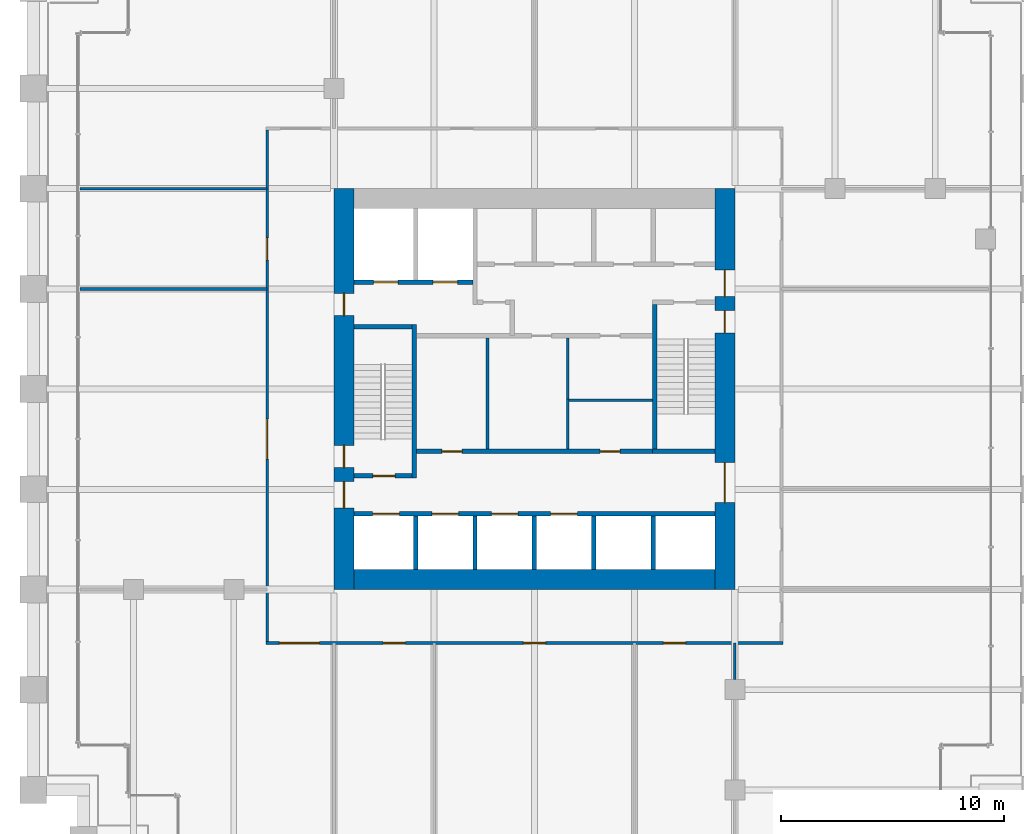
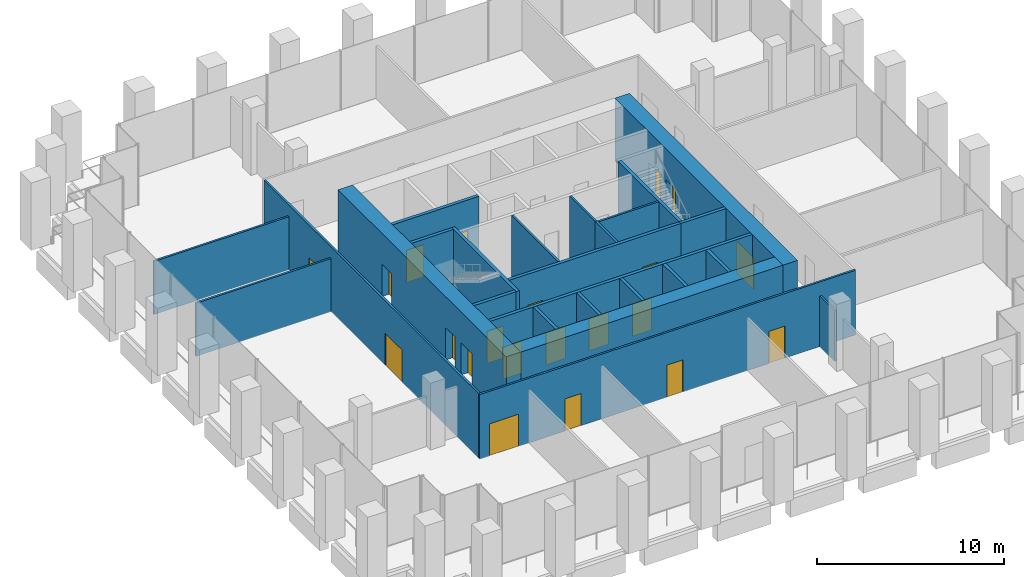
# One storey, part 30 of 36: 25 walls, 21 doors, 21 openings.
"""IFC4 building model written with IfcOpenShell, lengths in metres."""

from ifc_helpers import new_model, si_unit, direction, frame, frame_2d, origin, place, context, subcontext, project, spatial, rectangle, extrude, material, layer, layer_set, type_object, element, fill, save


model = new_model("IFC4")

# Units and contexts
model_context = context("Model", 3, precision=1e-05, world=origin(), true_north=direction((0.0, 1.0)))
body_context = subcontext(model_context, "Body", "Model", "MODEL_VIEW")
ifc_project = project(units=[si_unit("LENGTHUNIT", "METRE"), si_unit("AREAUNIT", "SQUARE_METRE"), si_unit("VOLUMEUNIT", "CUBIC_METRE"), si_unit("PLANEANGLEUNIT", "RADIAN"), si_unit("MASSUNIT", "GRAM", prefix="KILO")], contexts=[model_context])

# Site, building, storey
site_placement = place(None, origin())
site = spatial("IfcSite", under=ifc_project, at=site_placement, CompositionType="ELEMENT")
building_placement = place(site_placement, origin())
building = spatial("IfcBuilding", under=site, at=building_placement, Name="Altepetl Exchange Towers", CompositionType="ELEMENT")
storey_placement = place(building_placement, frame((0.0, 0.0, 25.39990234375)))
storey = spatial("IfcBuildingStorey", under=building, at=storey_placement, Name="L05", CompositionType="ELEMENT", Elevation=25.39990234375)

# Wall, openings, doors
ifc_material_1 = material(Name="Concrete C70/85", Category="concrete")
ifc_layer_1 = layer(ifc_material_1, 0.89990234375)
ifc_layer_set_1 = layer_set([ifc_layer_1], Name="Concrete C70/85")
wall_type_1 = type_object("IfcWallType", Name="Core wall 900 reinforced concrete", PredefinedType="SHEAR", material=ifc_layer_set_1)
wall_1_placement = place(storey_placement, frame((58.050048828125, 40.5, 0.0), z_axis=(0.0, 0.0, 1.0), x_axis=(0.0, 1.0, 0.0)))
wall_1 = element("IfcWall", 1, at=wall_1_placement, inside=storey, type_object=wall_type_1, Name="wall:A:L05:K-coreE", PredefinedType="SHEAR", context=body_context, shape_type="SweptSolid", body=[
    extrude(rectangle(XDim=18.0, YDim=0.89990234375, at=frame_2d((9.0, 0.0))), origin(), (0.0, 0.0, 1.0), 4.125),
])
opening_1_placement = place(wall_1_placement, frame((13.14990234375, 0.0, 0.0)))
opening_1 = element("IfcOpeningElement", 2, at=opening_1_placement, cuts=wall_1, Name="Opening L05.A60", PredefinedType="OPENING", context=body_context, shape_type="SweptSolid", body=[
    extrude(rectangle(XDim=1.199951171875, YDim=2.10009765625, at=frame_2d((0.60009765625, 1.050048828125))), frame((0.0, 0.4599609375, 0.0), z_axis=(0.0, -1.0, 0.0), x_axis=(1.0, 0.0, 0.0)), (0.0, 0.0, 1.0), 0.919921875),
])
opening_2_placement = place(wall_1_placement, frame((3.89990234375, 0.0, 0.0)))
opening_2 = element("IfcOpeningElement", 3, at=opening_2_placement, cuts=wall_1, Name="Opening L05.A61", PredefinedType="OPENING", context=body_context, shape_type="SweptSolid", body=[
    extrude(rectangle(XDim=1.800048828125, YDim=2.10009765625, at=frame_2d((0.89990234375, 1.050048828125))), frame((0.0, 0.4599609375, 0.0), z_axis=(0.0, -1.0, 0.0), x_axis=(1.0, 0.0, 0.0)), (0.0, 0.0, 1.0), 0.919921875),
])
opening_3_placement = place(wall_1_placement, frame((11.52490234375, 0.0, 0.0)))
opening_3 = element("IfcOpeningElement", 4, at=opening_3_placement, cuts=wall_1, Name="Opening L05.A66", PredefinedType="OPENING", context=body_context, shape_type="SweptSolid", body=[
    extrude(rectangle(XDim=1.0, YDim=2.10009765625, at=frame_2d((0.5, 1.050048828125))), frame((0.0, 0.4599609375, 0.0), z_axis=(0.0, -1.0, 0.0), x_axis=(1.0, 0.0, 0.0)), (0.0, 0.0, 1.0), 0.919921875),
])
ifc_material_2 = material(Name="Steel and timber fire door", Category="steel")
door_type_1 = type_object("IfcDoorType", Name="Fire door 1000 x 2100 stair and lobby", OperationType="SINGLE_SWING_LEFT", PredefinedType="DOOR", material=ifc_material_2)
door_1_placement = place(opening_3_placement, origin())
door_1 = element("IfcDoor", 5, at=door_1_placement, inside=storey, type_object=door_type_1, Name="door:A:L05:K-dS2x", OperationType="SINGLE_SWING_RIGHT", OverallHeight=2.10009765625, OverallWidth=1.0, PredefinedType="DOOR", context=body_context, shape_type="SweptSolid", body=[
    extrude(rectangle(XDim=1.0, YDim=2.10009765625, at=frame_2d((0.5, 1.050048828125))), frame((0.0, 0.02490234375, 0.0), z_axis=(0.0, -1.0, 0.0), x_axis=(1.0, 0.0, 0.0)), (0.0, 0.0, 1.0), 0.050048828125),
])
fill(opening_3, door_1)
door_type_2 = type_object("IfcDoorType", Name="Fire door 1200 x 2100 lobby entry", OperationType="SINGLE_SWING_LEFT", PredefinedType="DOOR", material=ifc_material_2)
door_2_placement = place(opening_1_placement, origin())
door_2 = element("IfcDoor", 6, at=door_2_placement, inside=storey, type_object=door_type_2, Name="door:A:L05:K-dLNE", OperationType="SINGLE_SWING_RIGHT", OverallHeight=2.10009765625, OverallWidth=1.199951171875, PredefinedType="DOOR", context=body_context, shape_type="SweptSolid", body=[
    extrude(rectangle(XDim=1.199951171875, YDim=2.10009765625, at=frame_2d((0.60009765625, 1.050048828125))), frame((0.0, 0.02490234375, 0.0), z_axis=(0.0, -1.0, 0.0), x_axis=(1.0, 0.0, 0.0)), (0.0, 0.0, 1.0), 0.050048828125),
])
fill(opening_1, door_2)
door_type_3 = type_object("IfcDoorType", Name="Fire door 1800 x 2100 lobby entry", OperationType="DOUBLE_DOOR_SINGLE_SWING", PredefinedType="DOOR", material=ifc_material_2)
door_3_placement = place(opening_2_placement, origin())
door_3 = element("IfcDoor", 7, at=door_3_placement, inside=storey, type_object=door_type_3, Name="door:A:L05:K-dLSE", OperationType="DOUBLE_DOOR_SINGLE_SWING", OverallHeight=2.10009765625, OverallWidth=1.800048828125, PredefinedType="DOOR", context=body_context, shape_type="SweptSolid", body=[
    extrude(rectangle(XDim=1.800048828125, YDim=2.10009765625, at=frame_2d((0.89990234375, 1.050048828125))), frame((0.0, 0.02490234375, 0.0), z_axis=(0.0, -1.0, 0.0), x_axis=(1.0, 0.0, 0.0)), (0.0, 0.0, 1.0), 0.050048828125),
])
fill(opening_2, door_3)

# Wall
wall_2_placement = place(storey_placement, frame((41.39990234375, 40.949951171875, 0.0)))
element("IfcWall", 8, at=wall_2_placement, inside=storey, type_object=wall_type_1, Name="wall:A:L05:K-coreS", PredefinedType="SHEAR", context=body_context, shape_type="SweptSolid", body=[
    extrude(rectangle(XDim=16.2001953125, YDim=0.89990234375, at=frame_2d((8.10009765625, 0.0))), origin(), (0.0, 0.0, 1.0), 4.125),
])

# Wall, openings, doors
wall_3_placement = place(storey_placement, frame((40.949951171875, 40.5, 0.0), z_axis=(0.0, 0.0, 1.0), x_axis=(0.0, 1.0, 0.0)))
wall_3 = element("IfcWall", 9, at=wall_3_placement, inside=storey, type_object=wall_type_1, Name="wall:A:L05:K-coreW", PredefinedType="SHEAR", context=body_context, shape_type="SweptSolid", body=[
    extrude(rectangle(XDim=18.0, YDim=0.89990234375, at=frame_2d((9.0, 0.0))), origin(), (0.0, 0.0, 1.0), 4.125),
])
opening_4_placement = place(wall_3_placement, frame((3.64990234375, 0.0, 0.0)))
opening_4 = element("IfcOpeningElement", 10, at=opening_4_placement, cuts=wall_3, Name="Opening L05.A62", PredefinedType="OPENING", context=body_context, shape_type="SweptSolid", body=[
    extrude(rectangle(XDim=1.199951171875, YDim=2.10009765625, at=frame_2d((0.60009765625, 1.050048828125))), frame((0.0, 0.4599609375, 0.0), z_axis=(0.0, -1.0, 0.0), x_axis=(1.0, 0.0, 0.0)), (0.0, 0.0, 1.0), 0.919921875),
])
opening_5_placement = place(wall_3_placement, frame((5.47509765625, 0.0, 0.0)))
opening_5 = element("IfcOpeningElement", 11, at=opening_5_placement, cuts=wall_3, Name="Opening L05.A64", PredefinedType="OPENING", context=body_context, shape_type="SweptSolid", body=[
    extrude(rectangle(XDim=1.0, YDim=2.10009765625, at=frame_2d((0.5, 1.050048828125))), frame((0.0, 0.4599609375, 0.0), z_axis=(0.0, -1.0, 0.0), x_axis=(1.0, 0.0, 0.0)), (0.0, 0.0, 1.0), 0.919921875),
])
opening_6_placement = place(wall_3_placement, frame((12.300048828125, 0.0, 0.0)))
opening_6 = element("IfcOpeningElement", 12, at=opening_6_placement, cuts=wall_3, Name="Opening L05.A68", PredefinedType="OPENING", context=body_context, shape_type="SweptSolid", body=[
    extrude(rectangle(XDim=1.0, YDim=2.10009765625, at=frame_2d((0.5, 1.050048828125))), frame((0.0, 0.4599609375, 0.0), z_axis=(0.0, -1.0, 0.0), x_axis=(1.0, 0.0, 0.0)), (0.0, 0.0, 1.0), 0.919921875),
])
door_4_placement = place(opening_5_placement, frame((1.0, 0.0, 0.0), x_axis=(-1.0, 0.0, 0.0)))
door_4 = element("IfcDoor", 13, at=door_4_placement, inside=storey, type_object=door_type_1, Name="door:A:L05:K-dS1x", OperationType="SINGLE_SWING_RIGHT", OverallHeight=2.10009765625, OverallWidth=1.0, PredefinedType="DOOR", context=body_context, shape_type="SweptSolid", body=[
    extrude(rectangle(XDim=1.0, YDim=2.10009765625, at=frame_2d((0.5, 1.050048828125))), frame((0.0, 0.02490234375, 0.0), z_axis=(0.0, -1.0, 0.0), x_axis=(1.0, 0.0, 0.0)), (0.0, 0.0, 1.0), 0.050048828125),
])
fill(opening_5, door_4)
door_5_placement = place(opening_6_placement, frame((1.0, 0.0, 0.0), x_axis=(-1.0, 0.0, 0.0)))
door_5 = element("IfcDoor", 14, at=door_5_placement, inside=storey, type_object=door_type_1, Name="door:A:L05:K-dffW", OperationType="SINGLE_SWING_LEFT", OverallHeight=2.10009765625, OverallWidth=1.0, PredefinedType="DOOR", context=body_context, shape_type="SweptSolid", body=[
    extrude(rectangle(XDim=1.0, YDim=2.10009765625, at=frame_2d((0.5, 1.050048828125))), frame((0.0, 0.02490234375, 0.0), z_axis=(0.0, -1.0, 0.0), x_axis=(1.0, 0.0, 0.0)), (0.0, 0.0, 1.0), 0.050048828125),
])
fill(opening_6, door_5)
door_6_placement = place(opening_4_placement, frame((1.199951171875, 0.0, 0.0), x_axis=(-1.0, 0.0, 0.0)))
door_6 = element("IfcDoor", 15, at=door_6_placement, inside=storey, type_object=door_type_2, Name="door:A:L05:K-dLSW", OperationType="SINGLE_SWING_LEFT", OverallHeight=2.10009765625, OverallWidth=1.199951171875, PredefinedType="DOOR", context=body_context, shape_type="SweptSolid", body=[
    extrude(rectangle(XDim=1.199951171875, YDim=2.10009765625, at=frame_2d((0.60009765625, 1.050048828125))), frame((0.0, 0.02490234375, 0.0), z_axis=(0.0, -1.0, 0.0), x_axis=(1.0, 0.0, 0.0)), (0.0, 0.0, 1.0), 0.050048828125),
])
fill(opening_4, door_6)

ifc_material_3 = material(Name="Concrete blockwork", Category="masonry")
ifc_layer_2 = layer(ifc_material_3, 0.199951171875)
ifc_layer_set_2 = layer_set([ifc_layer_2], Name="Concrete blockwork")
wall_type_2 = type_object("IfcWallType", Name="Lobby wall 200 blockwork", PredefinedType="PARTITIONING", material=ifc_layer_set_2)
wall_4_placement = place(storey_placement, frame((44.199951171875, 46.699951171875, 0.0)))
wall_4 = element("IfcWall", 16, at=wall_4_placement, inside=storey, type_object=wall_type_2, Name="wall:A:L05:K-zoneS", PredefinedType="PARTITIONING", context=body_context, shape_type="SweptSolid", body=[
    extrude(rectangle(XDim=10.60009765625, YDim=0.199951171875, at=frame_2d((5.300048828125, 0.0))), origin(), (0.0, 0.0, 1.0), 4.125),
])
opening_7_placement = place(wall_4_placement, frame((1.14990234375, 0.0, 0.0)))
opening_7 = element("IfcOpeningElement", 17, at=opening_7_placement, cuts=wall_4, Name="Opening L05.A73", PredefinedType="OPENING", context=body_context, shape_type="SweptSolid", body=[
    extrude(rectangle(XDim=0.89990234375, YDim=2.10009765625, at=frame_2d((0.449951171875, 1.050048828125))), frame((0.0, 0.10986328125, 0.0), z_axis=(0.0, -1.0, 0.0), x_axis=(1.0, 0.0, 0.0)), (0.0, 0.0, 1.0), 0.219970703125),
])
opening_8_placement = place(wall_4_placement, frame((8.25, 0.0, 0.0)))
opening_8 = element("IfcOpeningElement", 18, at=opening_8_placement, cuts=wall_4, Name="Opening L05.A75", PredefinedType="OPENING", context=body_context, shape_type="SweptSolid", body=[
    extrude(rectangle(XDim=0.89990234375, YDim=2.10009765625, at=frame_2d((0.449951171875, 1.050048828125))), frame((0.0, 0.10986328125, 0.0), z_axis=(0.0, -1.0, 0.0), x_axis=(1.0, 0.0, 0.0)), (0.0, 0.0, 1.0), 0.219970703125),
])
door_type_4 = type_object("IfcDoorType", Name="Fire door 900 x 2100 service room", OperationType="SINGLE_SWING_LEFT", PredefinedType="DOOR", material=ifc_material_2)
door_7_placement = place(opening_7_placement, origin())
door_7 = element("IfcDoor", 19, at=door_7_placement, inside=storey, type_object=door_type_4, Name="door:A:L05:K-dz1", OperationType="SINGLE_SWING_RIGHT", OverallHeight=2.10009765625, OverallWidth=0.89990234375, PredefinedType="DOOR", context=body_context, shape_type="SweptSolid", body=[
    extrude(rectangle(XDim=0.89990234375, YDim=2.10009765625, at=frame_2d((0.449951171875, 1.050048828125))), frame((0.0, 0.02490234375, 0.0), z_axis=(0.0, -1.0, 0.0), x_axis=(1.0, 0.0, 0.0)), (0.0, 0.0, 1.0), 0.050048828125),
])
fill(opening_7, door_7)
door_8_placement = place(opening_8_placement, origin())
door_8 = element("IfcDoor", 20, at=door_8_placement, inside=storey, type_object=door_type_4, Name="door:A:L05:K-dz3", OperationType="SINGLE_SWING_RIGHT", OverallHeight=2.10009765625, OverallWidth=0.89990234375, PredefinedType="DOOR", context=body_context, shape_type="SweptSolid", body=[
    extrude(rectangle(XDim=0.89990234375, YDim=2.10009765625, at=frame_2d((0.449951171875, 1.050048828125))), frame((0.0, 0.02490234375, 0.0), z_axis=(0.0, -1.0, 0.0), x_axis=(1.0, 0.0, 0.0)), (0.0, 0.0, 1.0), 0.050048828125),
])
fill(opening_8, door_8)

# Walls
ifc_material_4 = material(Name="Gypsum board on steel studs", Category="steel")
ifc_layer_3 = layer(ifc_material_4, 0.125)
ifc_layer_set_3 = layer_set([ifc_layer_3], Name="Gypsum board on steel studs")
wall_type_3 = type_object("IfcWallType", Name="Partition 125 gypsum board on steel studs", PredefinedType="PARTITIONING", material=ifc_layer_set_3)
wall_5_placement = place(storey_placement, frame((47.39990234375, 46.800048828125, 0.0), z_axis=(0.0, 0.0, 1.0), x_axis=(0.0, 1.0, 0.0)))
element("IfcWall", 21, at=wall_5_placement, inside=storey, type_object=wall_type_3, Name="wall:A:L05:K-zp1", PredefinedType="PARTITIONING", context=body_context, shape_type="SweptSolid", body=[
    extrude(rectangle(XDim=5.0, YDim=0.125, at=frame_2d((2.5, 0.0))), origin(), (0.0, 0.0, 1.0), 4.125),
])
wall_6_placement = place(storey_placement, frame((51.0, 46.800048828125, 0.0), z_axis=(0.0, 0.0, 1.0), x_axis=(0.0, 1.0, 0.0)))
element("IfcWall", 22, at=wall_6_placement, inside=storey, type_object=wall_type_3, Name="wall:A:L05:K-zp2", PredefinedType="PARTITIONING", context=body_context, shape_type="SweptSolid", body=[
    extrude(rectangle(XDim=2.262451171875, YDim=0.125, at=frame_2d((1.13134765625, 0.0))), origin(), (0.0, 0.0, 1.0), 4.125),
])
wall_7_placement = place(storey_placement, frame((54.800048828125, 49.0, 0.0), z_axis=(0.0, 0.0, 1.0), x_axis=(-1.0, 0.0, 0.0)))
element("IfcWall", 23, at=wall_7_placement, inside=storey, type_object=wall_type_3, Name="wall:A:L05:K-zp3", PredefinedType="PARTITIONING", context=body_context, shape_type="SweptSolid", body=[
    extrude(rectangle(XDim=3.737548828125, YDim=0.125, at=frame_2d((1.86865234375, 0.0))), origin(), (0.0, 0.0, 1.0), 4.125),
])
wall_8_placement = place(storey_placement, frame((51.0, 49.0, 0.0), z_axis=(0.0, 0.0, 1.0), x_axis=(0.0, 1.0, 0.0)))
element("IfcWall", 24, at=wall_8_placement, inside=storey, type_object=wall_type_3, Name="wall:A:L05:K-zp4", PredefinedType="PARTITIONING", context=body_context, shape_type="SweptSolid", body=[
    extrude(rectangle(XDim=2.800048828125, YDim=0.125, at=frame_2d((1.39990234375, 0.0))), origin(), (0.0, 0.0, 1.0), 4.125),
])

# Wall, openings, doors
wall_9_placement = place(storey_placement, frame((37.4375, 38.10009765625, 0.0)))
wall_9 = element("IfcWall", 25, at=wall_9_placement, inside=storey, type_object=wall_type_3, Name="wall:A:L05:P01", PredefinedType="PARTITIONING", context=body_context, shape_type="SweptSolid", body=[
    extrude(rectangle(XDim=23.22509765625, YDim=0.125, at=frame_2d((11.612548828125, 0.0))), origin(), (0.0, 0.0, 1.0), 4.22509765625),
])
opening_9_placement = place(wall_9_placement, frame((0.609619140625, 0.0, 0.0)))
opening_9 = element("IfcOpeningElement", 26, at=opening_9_placement, cuts=wall_9, Name="Opening L05.A02", PredefinedType="OPENING", context=body_context, shape_type="SweptSolid", body=[
    extrude(rectangle(XDim=1.800048828125, YDim=2.10009765625, at=frame_2d((0.89990234375, 1.050048828125))), frame((0.0, 0.072509765625, 0.0), z_axis=(0.0, -1.0, 0.0), x_axis=(1.0, 0.0, 0.0)), (0.0, 0.0, 1.0), 0.14501953125),
])
opening_10_placement = place(wall_9_placement, frame((5.267578125, 0.0, 0.0)))
opening_10 = element("IfcOpeningElement", 27, at=opening_10_placement, cuts=wall_9, Name="Opening L05.A03", PredefinedType="OPENING", context=body_context, shape_type="SweptSolid", body=[
    extrude(rectangle(XDim=1.0, YDim=2.10009765625, at=frame_2d((0.5, 1.050048828125))), frame((0.0, 0.072509765625, 0.0), z_axis=(0.0, -1.0, 0.0), x_axis=(1.0, 0.0, 0.0)), (0.0, 0.0, 1.0), 0.14501953125),
])
opening_11_placement = place(wall_9_placement, frame((11.5625, 0.0, 0.0)))
opening_11 = element("IfcOpeningElement", 28, at=opening_11_placement, cuts=wall_9, Name="Opening L05.A04", PredefinedType="OPENING", context=body_context, shape_type="SweptSolid", body=[
    extrude(rectangle(XDim=1.0, YDim=2.10009765625, at=frame_2d((0.5, 1.050048828125))), frame((0.0, 0.072509765625, 0.0), z_axis=(0.0, -1.0, 0.0), x_axis=(1.0, 0.0, 0.0)), (0.0, 0.0, 1.0), 0.14501953125),
])
opening_12_placement = place(wall_9_placement, frame((17.857421875, 0.0, 0.0)))
opening_12 = element("IfcOpeningElement", 29, at=opening_12_placement, cuts=wall_9, Name="Opening L05.A05", PredefinedType="OPENING", context=body_context, shape_type="SweptSolid", body=[
    extrude(rectangle(XDim=1.0, YDim=2.10009765625, at=frame_2d((0.5, 1.050048828125))), frame((0.0, 0.072509765625, 0.0), z_axis=(0.0, -1.0, 0.0), x_axis=(1.0, 0.0, 0.0)), (0.0, 0.0, 1.0), 0.14501953125),
])
door_type_5 = type_object("IfcDoorType", Name="Fire door 1000 x 2100 single leaf", OperationType="SINGLE_SWING_LEFT", PredefinedType="DOOR", material=ifc_material_2)
door_9_placement = place(opening_10_placement, frame((1.0, 0.0, 0.0), x_axis=(-1.0, 0.0, 0.0)))
door_9 = element("IfcDoor", 30, at=door_9_placement, inside=storey, type_object=door_type_5, Name="door:A:L05:03", OperationType="SINGLE_SWING_LEFT", OverallHeight=2.10009765625, OverallWidth=1.0, PredefinedType="DOOR", context=body_context, shape_type="SweptSolid", body=[
    extrude(rectangle(XDim=1.0, YDim=2.10009765625, at=frame_2d((0.5, 1.050048828125))), frame((0.0, 0.02490234375, 0.0), z_axis=(0.0, -1.0, 0.0), x_axis=(1.0, 0.0, 0.0)), (0.0, 0.0, 1.0), 0.050048828125),
])
fill(opening_10, door_9)
door_10_placement = place(opening_11_placement, frame((1.0, 0.0, 0.0), x_axis=(-1.0, 0.0, 0.0)))
door_10 = element("IfcDoor", 31, at=door_10_placement, inside=storey, type_object=door_type_5, Name="door:A:L05:04", OperationType="SINGLE_SWING_LEFT", OverallHeight=2.10009765625, OverallWidth=1.0, PredefinedType="DOOR", context=body_context, shape_type="SweptSolid", body=[
    extrude(rectangle(XDim=1.0, YDim=2.10009765625, at=frame_2d((0.5, 1.050048828125))), frame((0.0, 0.02490234375, 0.0), z_axis=(0.0, -1.0, 0.0), x_axis=(1.0, 0.0, 0.0)), (0.0, 0.0, 1.0), 0.050048828125),
])
fill(opening_11, door_10)
door_11_placement = place(opening_12_placement, frame((1.0, 0.0, 0.0), x_axis=(-1.0, 0.0, 0.0)))
door_11 = element("IfcDoor", 32, at=door_11_placement, inside=storey, type_object=door_type_5, Name="door:A:L05:05", OperationType="SINGLE_SWING_LEFT", OverallHeight=2.10009765625, OverallWidth=1.0, PredefinedType="DOOR", context=body_context, shape_type="SweptSolid", body=[
    extrude(rectangle(XDim=1.0, YDim=2.10009765625, at=frame_2d((0.5, 1.050048828125))), frame((0.0, 0.02490234375, 0.0), z_axis=(0.0, -1.0, 0.0), x_axis=(1.0, 0.0, 0.0)), (0.0, 0.0, 1.0), 0.050048828125),
])
fill(opening_12, door_11)
door_type_6 = type_object("IfcDoorType", Name="Fire door 1800 x 2100 double leaf", OperationType="DOUBLE_DOOR_SINGLE_SWING", PredefinedType="DOOR", material=ifc_material_2)
door_12_placement = place(opening_9_placement, frame((1.800048828125, 0.0, 0.0), x_axis=(-1.0, 0.0, 0.0)))
door_12 = element("IfcDoor", 33, at=door_12_placement, inside=storey, type_object=door_type_6, Name="door:A:L05:02", OperationType="DOUBLE_DOOR_SINGLE_SWING", OverallHeight=2.10009765625, OverallWidth=1.800048828125, PredefinedType="DOOR", context=body_context, shape_type="SweptSolid", body=[
    extrude(rectangle(XDim=1.800048828125, YDim=2.10009765625, at=frame_2d((0.89990234375, 1.050048828125))), frame((0.0, 0.02490234375, 0.0), z_axis=(0.0, -1.0, 0.0), x_axis=(1.0, 0.0, 0.0)), (0.0, 0.0, 1.0), 0.050048828125),
])
fill(opening_9, door_12)

# Walls
for number, where, name in (
    (34, (29.10009765625, 54.0, 0.0), "wall:A:L05:P07"),
    (35, (29.10009765625, 58.5, 0.0), "wall:A:L05:P09"),
):
    element("IfcWall", number, at=place(storey_placement, frame(where)), inside=storey, type_object=wall_type_3, Name=name, PredefinedType="PARTITIONING", context=body_context, shape_type="SweptSolid", body=[
        extrude(rectangle(XDim=8.39990234375, YDim=0.125, at=frame_2d((4.199951171875, 0.0))), origin(), (0.0, 0.0, 1.0), 3.467041015625),
    ])

# Wall, openings, doors
wall_10_placement = place(storey_placement, frame((37.5, 38.16259765625, 0.0), z_axis=(0.0, 0.0, 1.0), x_axis=(0.0, 1.0, 0.0)))
wall_10 = element("IfcWall", 36, at=wall_10_placement, inside=storey, type_object=wall_type_3, Name="wall:A:L05:P14", PredefinedType="PARTITIONING", context=body_context, shape_type="SweptSolid", body=[
    extrude(rectangle(XDim=22.974853515625, YDim=0.125, at=frame_2d((11.4873046875, 0.0))), origin(), (0.0, 0.0, 1.0), 4.22509765625),
])
opening_13_placement = place(wall_10_placement, frame((8.1875, 0.0, 0.0)))
opening_13 = element("IfcOpeningElement", 37, at=opening_13_placement, cuts=wall_10, Name="Opening L05.A01", PredefinedType="OPENING", context=body_context, shape_type="SweptSolid", body=[
    extrude(rectangle(XDim=1.800048828125, YDim=2.10009765625, at=frame_2d((0.89990234375, 1.050048828125))), frame((0.0, 0.072509765625, 0.0), z_axis=(0.0, -1.0, 0.0), x_axis=(1.0, 0.0, 0.0)), (0.0, 0.0, 1.0), 0.14501953125),
])
opening_14_placement = place(wall_10_placement, frame((17.132568359375, 0.0, 0.0)))
opening_14 = element("IfcOpeningElement", 38, at=opening_14_placement, cuts=wall_10, Name="Opening L05.A14", PredefinedType="OPENING", context=body_context, shape_type="SweptSolid", body=[
    extrude(rectangle(XDim=1.0, YDim=2.10009765625, at=frame_2d((0.5, 1.050048828125))), frame((0.0, 0.072509765625, 0.0), z_axis=(0.0, -1.0, 0.0), x_axis=(1.0, 0.0, 0.0)), (0.0, 0.0, 1.0), 0.14501953125),
])
door_13_placement = place(opening_14_placement, origin())
door_13 = element("IfcDoor", 39, at=door_13_placement, inside=storey, type_object=door_type_5, Name="door:A:L05:14", OperationType="SINGLE_SWING_LEFT", OverallHeight=2.10009765625, OverallWidth=1.0, PredefinedType="DOOR", context=body_context, shape_type="SweptSolid", body=[
    extrude(rectangle(XDim=1.0, YDim=2.10009765625, at=frame_2d((0.5, 1.050048828125))), frame((0.0, 0.02490234375, 0.0), z_axis=(0.0, -1.0, 0.0), x_axis=(1.0, 0.0, 0.0)), (0.0, 0.0, 1.0), 0.050048828125),
])
fill(opening_14, door_13)
door_14_placement = place(opening_13_placement, origin())
door_14 = element("IfcDoor", 40, at=door_14_placement, inside=storey, type_object=door_type_6, Name="door:A:L05:01", OperationType="DOUBLE_DOOR_SINGLE_SWING", OverallHeight=2.10009765625, OverallWidth=1.800048828125, PredefinedType="DOOR", context=body_context, shape_type="SweptSolid", body=[
    extrude(rectangle(XDim=1.800048828125, YDim=2.10009765625, at=frame_2d((0.89990234375, 1.050048828125))), frame((0.0, 0.02490234375, 0.0), z_axis=(0.0, -1.0, 0.0), x_axis=(1.0, 0.0, 0.0)), (0.0, 0.0, 1.0), 0.050048828125),
])
fill(opening_13, door_14)

# Walls
wall_11_placement = place(storey_placement, frame((58.5, 36.449951171875, 0.0), z_axis=(0.0, 0.0, 1.0), x_axis=(0.0, 1.0, 0.0)))
element("IfcWall", 41, at=wall_11_placement, inside=storey, type_object=wall_type_3, Name="wall:A:L05:P24", PredefinedType="PARTITIONING", context=body_context, shape_type="SweptSolid", body=[
    extrude(rectangle(XDim=1.650146484375, YDim=0.125, at=frame_2d((0.8251953125, 0.0))), origin(), (0.0, 0.0, 1.0), 3.302001953125),
])
ifc_material_5 = material(Name="Concrete C40/50", Category="concrete")
ifc_layer_4 = layer(ifc_material_5, 0.199951171875)
ifc_layer_set_4 = layer_set([ifc_layer_4], Name="Concrete C40/50")
wall_type_4 = type_object("IfcWallType", Name="Shaft wall 200 reinforced concrete", PredefinedType="SHEAR", material=ifc_layer_set_4)
for number, where, z_axis, x_axis, name in (
    (42, (44.166748046875, 41.39990234375, 0.0), (0.0, 0.0, 1.0), (0.0, 1.0, 0.0), "wall:A:L05:K-divS1"),
    (43, (46.833251953125, 41.39990234375, 0.0), (0.0, 0.0, 1.0), (0.0, 1.0, 0.0), "wall:A:L05:K-divS2"),
    (44, (49.5, 41.39990234375, 0.0), (0.0, 0.0, 1.0), (0.0, 1.0, 0.0), "wall:A:L05:K-divS3"),
    (45, (52.166748046875, 41.39990234375, 0.0), (0.0, 0.0, 1.0), (0.0, 1.0, 0.0), "wall:A:L05:K-divS4"),
    (46, (54.833251953125, 41.39990234375, 0.0), (0.0, 0.0, 1.0), (0.0, 1.0, 0.0), "wall:A:L05:K-divS5"),
):
    element("IfcWall", number, at=place(storey_placement, frame(where, z_axis=z_axis, x_axis=x_axis)), inside=storey, type_object=wall_type_4, Name=name, PredefinedType="SHEAR", context=body_context, shape_type="SweptSolid", body=[
        extrude(rectangle(XDim=2.400146484375, YDim=0.199951171875, at=frame_2d((1.2001953125, 0.0))), origin(), (0.0, 0.0, 1.0), 4.125),
    ])

# Wall, openings, doors
wall_12_placement = place(storey_placement, frame((41.39990234375, 54.300048828125, 0.0)))
wall_12 = element("IfcWall", 47, at=wall_12_placement, inside=storey, type_object=wall_type_4, Name="wall:A:L05:K-frontNd", PredefinedType="SHEAR", context=body_context, shape_type="SweptSolid", body=[
    extrude(rectangle(XDim=5.33349609375, YDim=0.199951171875, at=frame_2d((2.666748046875, 0.0))), origin(), (0.0, 0.0, 1.0), 4.125),
])
opening_15_placement = place(wall_12_placement, frame((0.88330078125, 0.0, 0.0)))
opening_15 = element("IfcOpeningElement", 48, at=opening_15_placement, cuts=wall_12, Name="Opening L05.A77", PredefinedType="OPENING", context=body_context, shape_type="SweptSolid", body=[
    extrude(rectangle(XDim=1.10009765625, YDim=2.10009765625, at=frame_2d((0.550048828125, 1.050048828125))), frame((0.0, 0.10986328125, 0.0), z_axis=(0.0, -1.0, 0.0), x_axis=(1.0, 0.0, 0.0)), (0.0, 0.0, 1.0), 0.219970703125),
])
opening_16_placement = place(wall_12_placement, frame((3.550048828125, 0.0, 0.0)))
opening_16 = element("IfcOpeningElement", 49, at=opening_16_placement, cuts=wall_12, Name="Opening L05.A78", PredefinedType="OPENING", context=body_context, shape_type="SweptSolid", body=[
    extrude(rectangle(XDim=1.10009765625, YDim=2.10009765625, at=frame_2d((0.550048828125, 1.050048828125))), frame((0.0, 0.10986328125, 0.0), z_axis=(0.0, -1.0, 0.0), x_axis=(1.0, 0.0, 0.0)), (0.0, 0.0, 1.0), 0.219970703125),
])
ifc_material_6 = material(Name="Stainless steel", Category="steel")
door_type_7 = type_object("IfcDoorType", Name="Lift landing door 1100 x 2100", OperationType="SLIDING_TO_LEFT", PredefinedType="DOOR", material=ifc_material_6)
door_15_placement = place(opening_15_placement, origin())
door_15 = element("IfcDoor", 50, at=door_15_placement, inside=storey, type_object=door_type_7, Name="Landing door FFL1", OperationType="SLIDING_TO_LEFT", OverallHeight=2.10009765625, OverallWidth=1.10009765625, PredefinedType="DOOR", context=body_context, shape_type="SweptSolid", body=[
    extrude(rectangle(XDim=1.10009765625, YDim=2.10009765625, at=frame_2d((0.550048828125, 1.050048828125))), frame((0.0, 0.02490234375, 0.0), z_axis=(0.0, -1.0, 0.0), x_axis=(1.0, 0.0, 0.0)), (0.0, 0.0, 1.0), 0.050048828125),
])
fill(opening_15, door_15)
door_16_placement = place(opening_16_placement, origin())
door_16 = element("IfcDoor", 51, at=door_16_placement, inside=storey, type_object=door_type_7, Name="Landing door FFL2", OperationType="SLIDING_TO_LEFT", OverallHeight=2.10009765625, OverallWidth=1.10009765625, PredefinedType="DOOR", context=body_context, shape_type="SweptSolid", body=[
    extrude(rectangle(XDim=1.10009765625, YDim=2.10009765625, at=frame_2d((0.550048828125, 1.050048828125))), frame((0.0, 0.02490234375, 0.0), z_axis=(0.0, -1.0, 0.0), x_axis=(1.0, 0.0, 0.0)), (0.0, 0.0, 1.0), 0.050048828125),
])
fill(opening_16, door_16)

wall_13_placement = place(storey_placement, frame((41.39990234375, 43.89990234375, 0.0)))
wall_13 = element("IfcWall", 52, at=wall_13_placement, inside=storey, type_object=wall_type_4, Name="wall:A:L05:K-frontS", PredefinedType="SHEAR", context=body_context, shape_type="SweptSolid", body=[
    extrude(rectangle(XDim=16.2001953125, YDim=0.199951171875, at=frame_2d((8.10009765625, 0.0))), origin(), (0.0, 0.0, 1.0), 4.125),
])
opening_17_placement = place(wall_13_placement, frame((0.833251953125, 0.0, 0.0)))
opening_17 = element("IfcOpeningElement", 53, at=opening_17_placement, cuts=wall_13, Name="Opening L05.A79", PredefinedType="OPENING", context=body_context, shape_type="SweptSolid", body=[
    extrude(rectangle(XDim=1.199951171875, YDim=2.10009765625, at=frame_2d((0.60009765625, 1.050048828125))), frame((0.0, 0.10986328125, 0.0), z_axis=(0.0, -1.0, 0.0), x_axis=(1.0, 0.0, 0.0)), (0.0, 0.0, 1.0), 0.219970703125),
])
opening_18_placement = place(wall_13_placement, frame((3.5, 0.0, 0.0)))
opening_18 = element("IfcOpeningElement", 54, at=opening_18_placement, cuts=wall_13, Name="Opening L05.A80", PredefinedType="OPENING", context=body_context, shape_type="SweptSolid", body=[
    extrude(rectangle(XDim=1.199951171875, YDim=2.10009765625, at=frame_2d((0.60009765625, 1.050048828125))), frame((0.0, 0.10986328125, 0.0), z_axis=(0.0, -1.0, 0.0), x_axis=(1.0, 0.0, 0.0)), (0.0, 0.0, 1.0), 0.219970703125),
])
opening_19_placement = place(wall_13_placement, frame((6.166748046875, 0.0, 0.0)))
opening_19 = element("IfcOpeningElement", 55, at=opening_19_placement, cuts=wall_13, Name="Opening L05.A81", PredefinedType="OPENING", context=body_context, shape_type="SweptSolid", body=[
    extrude(rectangle(XDim=1.199951171875, YDim=2.10009765625, at=frame_2d((0.60009765625, 1.050048828125))), frame((0.0, 0.10986328125, 0.0), z_axis=(0.0, -1.0, 0.0), x_axis=(1.0, 0.0, 0.0)), (0.0, 0.0, 1.0), 0.219970703125),
])
opening_20_placement = place(wall_13_placement, frame((8.833251953125, 0.0, 0.0)))
opening_20 = element("IfcOpeningElement", 56, at=opening_20_placement, cuts=wall_13, Name="Opening L05.A82", PredefinedType="OPENING", context=body_context, shape_type="SweptSolid", body=[
    extrude(rectangle(XDim=1.199951171875, YDim=2.10009765625, at=frame_2d((0.60009765625, 1.050048828125))), frame((0.0, 0.10986328125, 0.0), z_axis=(0.0, -1.0, 0.0), x_axis=(1.0, 0.0, 0.0)), (0.0, 0.0, 1.0), 0.219970703125),
])
door_type_8 = type_object("IfcDoorType", Name="Lift landing door 1200 x 2100", OperationType="SLIDING_TO_LEFT", PredefinedType="DOOR", material=ifc_material_6)
door_17_placement = place(opening_17_placement, origin())
door_17 = element("IfcDoor", 57, at=door_17_placement, inside=storey, type_object=door_type_8, Name="Landing door P1", OperationType="SLIDING_TO_LEFT", OverallHeight=2.10009765625, OverallWidth=1.199951171875, PredefinedType="DOOR", context=body_context, shape_type="SweptSolid", body=[
    extrude(rectangle(XDim=1.199951171875, YDim=2.10009765625, at=frame_2d((0.60009765625, 1.050048828125))), frame((0.0, 0.02490234375, 0.0), z_axis=(0.0, -1.0, 0.0), x_axis=(1.0, 0.0, 0.0)), (0.0, 0.0, 1.0), 0.050048828125),
])
fill(opening_17, door_17)
door_18_placement = place(opening_18_placement, origin())
door_18 = element("IfcDoor", 58, at=door_18_placement, inside=storey, type_object=door_type_8, Name="Landing door P2", OperationType="SLIDING_TO_LEFT", OverallHeight=2.10009765625, OverallWidth=1.199951171875, PredefinedType="DOOR", context=body_context, shape_type="SweptSolid", body=[
    extrude(rectangle(XDim=1.199951171875, YDim=2.10009765625, at=frame_2d((0.60009765625, 1.050048828125))), frame((0.0, 0.02490234375, 0.0), z_axis=(0.0, -1.0, 0.0), x_axis=(1.0, 0.0, 0.0)), (0.0, 0.0, 1.0), 0.050048828125),
])
fill(opening_18, door_18)
door_19_placement = place(opening_19_placement, origin())
door_19 = element("IfcDoor", 59, at=door_19_placement, inside=storey, type_object=door_type_8, Name="Landing door P3", OperationType="SLIDING_TO_LEFT", OverallHeight=2.10009765625, OverallWidth=1.199951171875, PredefinedType="DOOR", context=body_context, shape_type="SweptSolid", body=[
    extrude(rectangle(XDim=1.199951171875, YDim=2.10009765625, at=frame_2d((0.60009765625, 1.050048828125))), frame((0.0, 0.02490234375, 0.0), z_axis=(0.0, -1.0, 0.0), x_axis=(1.0, 0.0, 0.0)), (0.0, 0.0, 1.0), 0.050048828125),
])
fill(opening_19, door_19)
door_20_placement = place(opening_20_placement, origin())
door_20 = element("IfcDoor", 60, at=door_20_placement, inside=storey, type_object=door_type_8, Name="Landing door P4", OperationType="SLIDING_TO_LEFT", OverallHeight=2.10009765625, OverallWidth=1.199951171875, PredefinedType="DOOR", context=body_context, shape_type="SweptSolid", body=[
    extrude(rectangle(XDim=1.199951171875, YDim=2.10009765625, at=frame_2d((0.60009765625, 1.050048828125))), frame((0.0, 0.02490234375, 0.0), z_axis=(0.0, -1.0, 0.0), x_axis=(1.0, 0.0, 0.0)), (0.0, 0.0, 1.0), 0.050048828125),
])
fill(opening_20, door_20)

# Walls
ifc_layer_5 = layer(ifc_material_5, 0.199951171875)
ifc_layer_set_5 = layer_set([ifc_layer_5], Name="Concrete C40/50")
wall_type_5 = type_object("IfcWallType", Name="Stair wall 200 reinforced concrete", PredefinedType="SHEAR", material=ifc_layer_set_5)
wall_14_placement = place(storey_placement, frame((44.10009765625, 45.5, 0.0), z_axis=(0.0, 0.0, 1.0), x_axis=(0.0, 1.0, 0.0)))
element("IfcWall", 61, at=wall_14_placement, inside=storey, type_object=wall_type_5, Name="wall:A:L05:K-stS1E", PredefinedType="SHEAR", context=body_context, shape_type="SweptSolid", body=[
    extrude(rectangle(XDim=6.89990234375, YDim=0.199951171875, at=frame_2d((3.449951171875, 0.0))), origin(), (0.0, 0.0, 1.0), 4.125),
])
wall_15_placement = place(storey_placement, frame((41.39990234375, 52.300048828125, 0.0)))
element("IfcWall", 62, at=wall_15_placement, inside=storey, type_object=wall_type_5, Name="wall:A:L05:K-stS1N", PredefinedType="SHEAR", context=body_context, shape_type="SweptSolid", body=[
    extrude(rectangle(XDim=2.60009765625, YDim=0.199951171875, at=frame_2d((1.300048828125, 0.0))), origin(), (0.0, 0.0, 1.0), 4.125),
])

# Wall, opening, door
wall_16_placement = place(storey_placement, frame((41.39990234375, 45.60009765625, 0.0)))
wall_16 = element("IfcWall", 63, at=wall_16_placement, inside=storey, type_object=wall_type_5, Name="wall:A:L05:K-stS1S", PredefinedType="SHEAR", context=body_context, shape_type="SweptSolid", body=[
    extrude(rectangle(XDim=2.60009765625, YDim=0.199951171875, at=frame_2d((1.300048828125, 0.0))), origin(), (0.0, 0.0, 1.0), 4.125),
])
opening_21_placement = place(wall_16_placement, frame((0.85009765625, 0.0, 0.0)))
opening_21 = element("IfcOpeningElement", 64, at=opening_21_placement, cuts=wall_16, Name="Opening L05.A63", PredefinedType="OPENING", context=body_context, shape_type="SweptSolid", body=[
    extrude(rectangle(XDim=1.0, YDim=2.10009765625, at=frame_2d((0.5, 1.050048828125))), frame((0.0, 0.10986328125, 0.0), z_axis=(0.0, -1.0, 0.0), x_axis=(1.0, 0.0, 0.0)), (0.0, 0.0, 1.0), 0.219970703125),
])
door_21_placement = place(opening_21_placement, origin())
door_21 = element("IfcDoor", 65, at=door_21_placement, inside=storey, type_object=door_type_1, Name="door:A:L05:K-dS1in", OperationType="SINGLE_SWING_RIGHT", OverallHeight=2.10009765625, OverallWidth=1.0, PredefinedType="DOOR", context=body_context, shape_type="SweptSolid", body=[
    extrude(rectangle(XDim=1.0, YDim=2.10009765625, at=frame_2d((0.5, 1.050048828125))), frame((0.0, 0.02490234375, 0.0), z_axis=(0.0, -1.0, 0.0), x_axis=(1.0, 0.0, 0.0)), (0.0, 0.0, 1.0), 0.050048828125),
])
fill(opening_21, door_21)

# Walls
wall_17_placement = place(storey_placement, frame((54.800048828125, 46.699951171875, 0.0)))
element("IfcWall", 66, at=wall_17_placement, inside=storey, type_object=wall_type_5, Name="wall:A:L05:K-stS2S", PredefinedType="SHEAR", context=body_context, shape_type="SweptSolid", body=[
    extrude(rectangle(XDim=2.800048828125, YDim=0.199951171875, at=frame_2d((1.39990234375, 0.0))), origin(), (0.0, 0.0, 1.0), 4.125),
])
wall_18_placement = place(storey_placement, frame((54.89990234375, 46.800048828125, 0.0), z_axis=(0.0, 0.0, 1.0), x_axis=(0.0, 1.0, 0.0)))
element("IfcWall", 67, at=wall_18_placement, inside=storey, type_object=wall_type_5, Name="wall:A:L05:K-stS2W", PredefinedType="SHEAR", context=body_context, shape_type="SweptSolid", body=[
    extrude(rectangle(XDim=6.5, YDim=0.199951171875, at=frame_2d((3.25, 0.0))), origin(), (0.0, 0.0, 1.0), 4.125),
])

save(model, "model.ifc")
